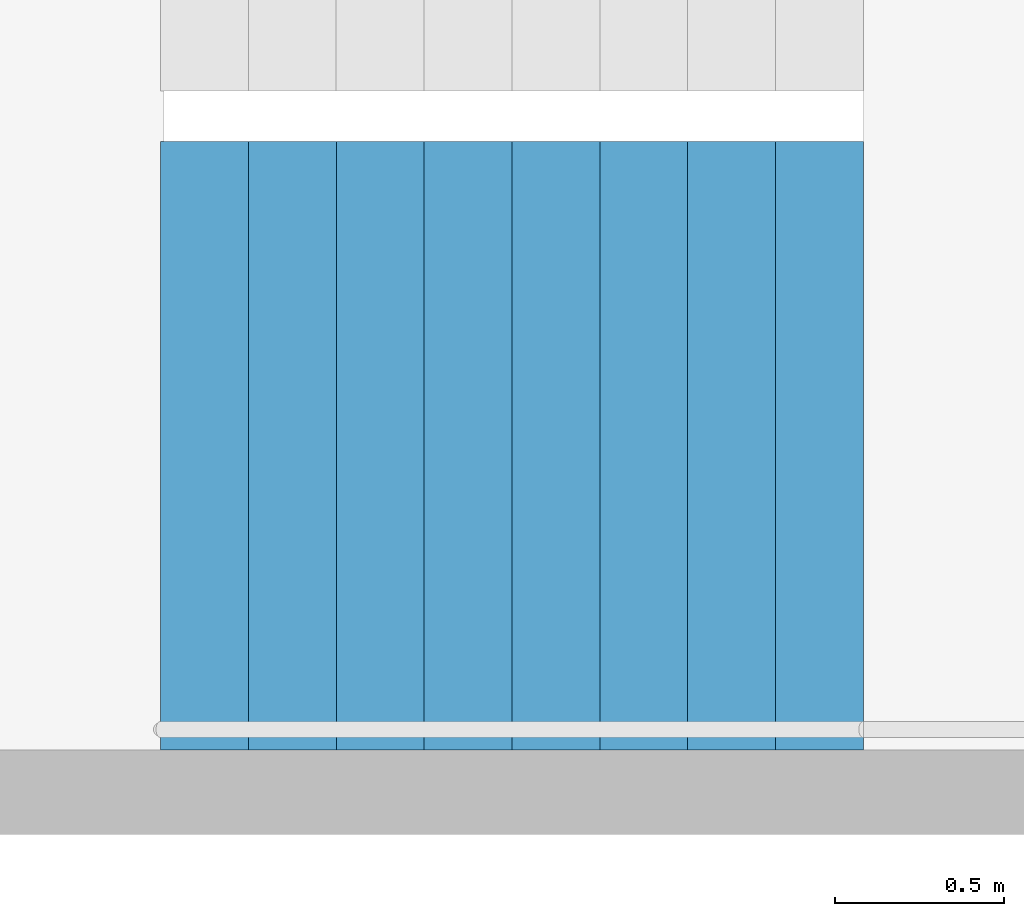
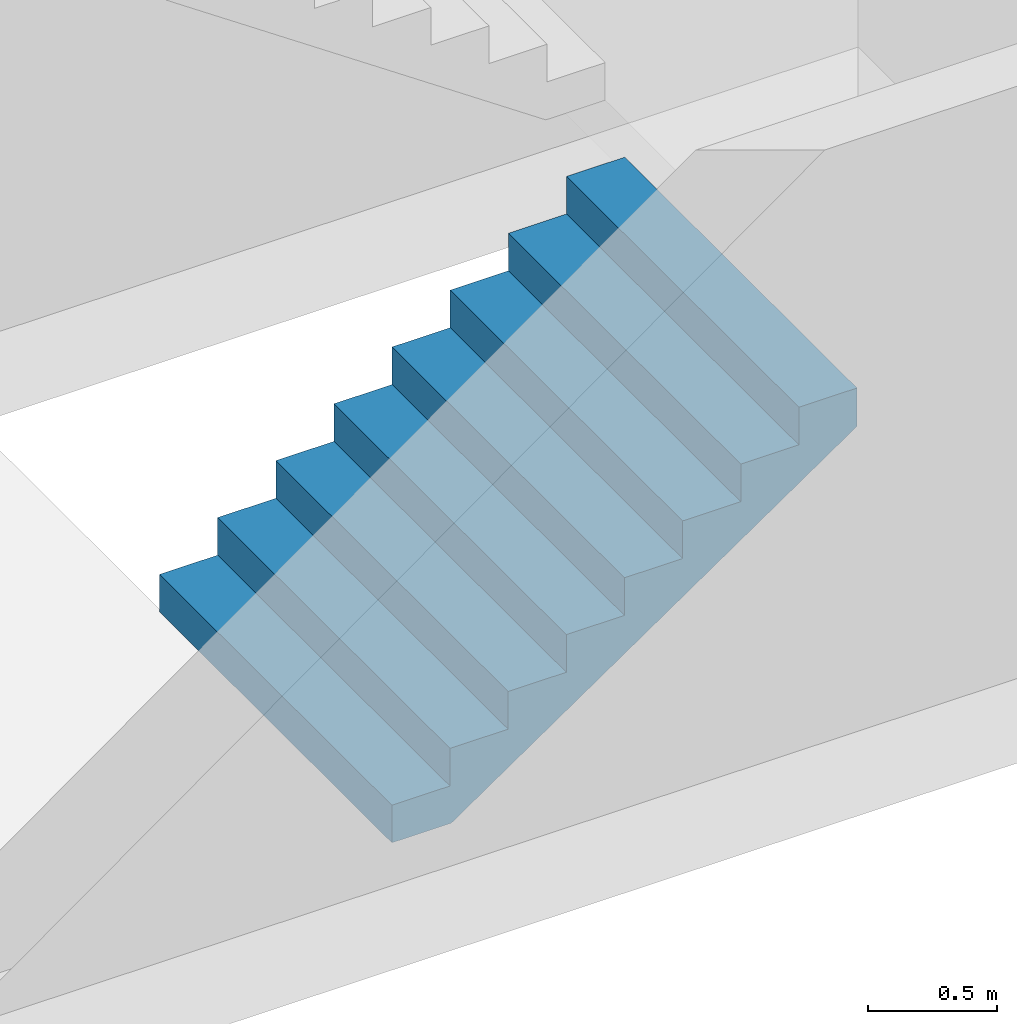
# One storey, part 22 of 28: 1 stair flight, 1 element without a shape of its own.
"""IFC4 building model written with IfcOpenShell, lengths in metres."""

import ifcopenshell
import ifcopenshell.guid

model = None  # the IFC model being written
_history = None  # IfcOwnerHistory: only IFC2X3 demands one
_inside = {}  # id of a spatial element -> (the spatial element, [elements in it])
_under = {}  # id of a project, library or spatial element -> (it, [spatial elements below it])
_declared = {}  # id of a project -> (the project, [libraries it declares])
_typed = {}  # id of a type object -> (the type object, [elements of that type])
_made_of = {}  # id of a material, layer set ... -> (it, [elements and type objects made of it])


def new_model(schema):
    """Start an empty IFC model of exactly this schema.

    Asked for "IFC4X3", IfcOpenShell would pick the latest addendum, in which some entities
    have other attributes; the version numbers below select the first issue.
    IFC2X3 requires an IfcOwnerHistory on every rooted entity: one is made here for all.
    """
    global model, _history
    if schema == "IFC4X3":
        model = ifcopenshell.file(schema_version=(4, 3, 0, 0))
    else:
        model = ifcopenshell.file(schema=schema)
    _inside.clear()
    _under.clear()
    _declared.clear()
    _typed.clear()
    _made_of.clear()
    _history = None
    if model.schema == "IFC2X3":
        org = make("IfcOrganization", Name="unknown")
        user = make(
            "IfcPersonAndOrganization",
            ThePerson=make("IfcPerson", FamilyName="unknown"),
            TheOrganization=org,
        )
        app = make(
            "IfcApplication",
            ApplicationDeveloper=org,
            Version="unknown",
            ApplicationFullName="unknown",
            ApplicationIdentifier="unknown",
        )
        _history = make(
            "IfcOwnerHistory",
            OwningUser=user,
            OwningApplication=app,
            ChangeAction="ADDED",
            CreationDate=0,
        )
    return model


def make(cls, **values):
    """One entity of the class cls with the attributes given. An attribute that is None is left unset."""
    return model.create_entity(
        cls, **{name: value for name, value in values.items() if value is not None}
    )


def rooted(cls, **values):
    """An entity with a GlobalId (a new one), such as an element, a storey or a relation."""
    return make(cls, GlobalId=ifcopenshell.guid.new(), OwnerHistory=_history, **values)


def si_unit(unit_type, name, prefix=None):
    """IfcSIUnit, for example si_unit("LENGTHUNIT", "METRE", prefix="MILLI")."""
    return make("IfcSIUnit", UnitType=unit_type, Prefix=prefix, Name=name)


def assignment(units):
    """IfcUnitAssignment: the units of a project."""
    return None if units is None else make("IfcUnitAssignment", Units=units)


def point(xyz):
    """IfcCartesianPoint."""
    return None if xyz is None else make("IfcCartesianPoint", Coordinates=xyz)


def direction(xyz):
    """IfcDirection."""
    return None if xyz is None else make("IfcDirection", DirectionRatios=xyz)


def frame(location, z_axis=None, x_axis=None):
    """IfcAxis2Placement3D, a coordinate frame: its origin and axes. An axis left out is left unset."""
    return make(
        "IfcAxis2Placement3D",
        Location=point(location),
        Axis=direction(z_axis),
        RefDirection=direction(x_axis),
    )


def origin():
    """The frame at (0, 0, 0) with its axes left unset."""
    return frame((0.0, 0.0, 0.0))


def place(relative_to, where):
    """IfcLocalPlacement: puts the frame where relative to a parent placement (None: the world)."""
    return make(
        "IfcLocalPlacement", PlacementRelTo=relative_to, RelativePlacement=where
    )


def context(
    kind, dimensions, precision=None, world=None, true_north=None, identifier=None
):
    """IfcGeometricRepresentationContext, for example the 3D "Model" context."""
    return make(
        "IfcGeometricRepresentationContext",
        ContextIdentifier=identifier,
        ContextType=kind,
        CoordinateSpaceDimension=dimensions,
        Precision=precision,
        WorldCoordinateSystem=world,
        TrueNorth=true_north,
    )


def subcontext(parent, identifier, kind, view, scale=None):
    """IfcGeometricRepresentationSubContext, for example "Body" below "Model"."""
    return make(
        "IfcGeometricRepresentationSubContext",
        ContextIdentifier=identifier,
        ContextType=kind,
        ParentContext=parent,
        TargetScale=scale,
        TargetView=view,
    )


def project(units=None, contexts=None):
    """IfcProject with its units and contexts."""
    return rooted(
        "IfcProject",
        Name="project",
        RepresentationContexts=contexts,
        UnitsInContext=assignment(units),
    )


def spatial(cls, under=None, at=None, **own):
    """A site, building, storey or space (cls), placed at a placement, below another one or the project."""
    s = rooted(cls, ObjectPlacement=at, **own)
    if under is not None:
        _under.setdefault(under.id(), (under, []))[1].append(s)
    return s


def point_list(points):
    """IfcCartesianPointList2D or 3D."""
    cls = (
        "IfcCartesianPointList2D" if len(points[0]) == 2 else "IfcCartesianPointList3D"
    )
    return make(cls, CoordList=points)


def triangles(points, corners, closed=None, point_numbers=None):
    """IfcTriangulatedFaceSet: each triangle names its three corners, points numbered from 1."""
    return make(
        "IfcTriangulatedFaceSet",
        Coordinates=point_list(points),
        Closed=closed,
        CoordIndex=corners,
        PnIndex=point_numbers,
    )


def shape(context_of_items, identifier, shape_type, items):
    """IfcShapeRepresentation: the items that make up one representation, for example the "Body"."""
    return make(
        "IfcShapeRepresentation",
        ContextOfItems=context_of_items,
        RepresentationIdentifier=identifier,
        RepresentationType=shape_type,
        Items=items,
    )


def material(Name=None, Category=None):
    """IfcMaterial."""
    return make("IfcMaterial", Name=Name, Category=Category)


def made_of(thing, what):
    """Note that an element or type object is made of a material, layer set ...; save() writes the relation."""
    if what is not None:
        _made_of.setdefault(what.id(), (what, []))[1].append(thing)
    return thing


def type_object(cls, material=None, **own):
    """A type object (cls), such as IfcWallType, which elements share."""
    return made_of(rooted(cls, **own), material)


def element(
    cls,
    number,
    at=None,
    inside=None,
    cuts=None,
    type_object=None,
    material=None,
    context=None,
    identifier="Body",
    shape_type=None,
    held_by="IfcProductDefinitionShape",
    body=None,
    shapes=None,
    **own,
):
    """One element of the class cls, such as IfcWall. Its Tag is "e" and its number.

    at: its placement. inside: the storey or other place that contains it. cuts: it is an
    opening in that element (IfcRelVoidsElement). A single representation is given by context,
    identifier, shape_type and body (its items); several are given by shapes. held_by: the class
    of the entity that holds the representations. save() writes the other relations.
    """
    e = rooted(cls, Tag="e%d" % number, ObjectPlacement=at, **own)
    if body is not None:
        shapes = [shape(context, identifier, shape_type, body)]
    if shapes is not None:
        e.Representation = make(held_by, Representations=shapes)
    if inside is not None:
        _inside.setdefault(inside.id(), (inside, []))[1].append(e)
    if cuts is not None:
        rooted(
            "IfcRelVoidsElement", RelatingBuildingElement=cuts, RelatedOpeningElement=e
        )
    if type_object is not None:
        _typed.setdefault(type_object.id(), (type_object, []))[1].append(e)
    return made_of(e, material)


def aggregate(whole, parts):
    """IfcRelAggregates: a whole, such as a stair, and the parts it consists of."""
    return rooted("IfcRelAggregates", RelatingObject=whole, RelatedObjects=parts)


def save(model, path):
    """Write the relations noted so far, then the file.

    IfcRelAggregates (storeys below a building ...), IfcRelContainedInSpatialStructure (elements
    in a storey), IfcRelDefinesByType, IfcRelAssociatesMaterial and IfcRelDeclares: one each for
    every whole, place, type object, material and project.
    """
    for whole, parts in _under.values():
        aggregate(whole, parts)
    for where, things in _inside.values():
        rooted(
            "IfcRelContainedInSpatialStructure",
            RelatedElements=things,
            RelatingStructure=where,
        )
    for kind, things in _typed.values():
        rooted("IfcRelDefinesByType", RelatedObjects=things, RelatingType=kind)
    for what, things in _made_of.values():
        rooted("IfcRelAssociatesMaterial", RelatedObjects=things, RelatingMaterial=what)
    for by, libraries in _declared.values():
        rooted("IfcRelDeclares", RelatingContext=by, RelatedDefinitions=libraries)
    model.write(path)


model = new_model("IFC4")

# Units and contexts
model_context = context("Model", 3, precision=1e-05, world=origin(), true_north=direction((0.0, 1.0)))
body_context = subcontext(model_context, "Body", "Model", "MODEL_VIEW")
ifc_project = project(units=[si_unit("LENGTHUNIT", "METRE"), si_unit("AREAUNIT", "SQUARE_METRE"), si_unit("VOLUMEUNIT", "CUBIC_METRE"), si_unit("PLANEANGLEUNIT", "RADIAN"), si_unit("MASSUNIT", "GRAM", prefix="KILO")], contexts=[model_context])

# Site, building, storey
site_placement = place(None, origin())
site = spatial("IfcSite", under=ifc_project, at=site_placement, CompositionType="ELEMENT")
building_placement = place(site_placement, origin())
building = spatial("IfcBuilding", under=site, at=building_placement, Name="Hakoniwa Tower and Hamabe Station Hall", CompositionType="ELEMENT")
storey_placement = place(building_placement, frame((0.0, 0.0, 42.199951171875)))
storey = spatial("IfcBuildingStorey", under=building, at=storey_placement, Name="L11", CompositionType="ELEMENT", Elevation=42.199951171875)

# Stair, stair flight
ifc_material_1 = material(Name="Concrete C40", Category="concrete")
stair_type = type_object("IfcStairType", Name="ESCAPE STAIR 1800", PredefinedType="HALF_TURN_STAIR", material=ifc_material_1)
stair_placement = place(storey_placement, origin())
stair = element("IfcStair", 1, at=stair_placement, inside=storey, type_object=stair_type, Name="Escape stair ST-1 L11", PredefinedType="HALF_TURN_STAIR")
ifc_material_2 = material(Name="Concrete C40", Category="concrete")
stair_flight_type = type_object("IfcStairFlightType", Name="STAIR FLIGHT 1800", PredefinedType="STRAIGHT", material=ifc_material_2)
stair_flight_placement = place(storey_placement, frame((-24.39990234375, 4.64990234375, 0.0), z_axis=(0.0, 0.0, 1.0), x_axis=(1.0, 0.0, 0.0)))
stair_flight = element("IfcStairFlight", 2, at=stair_flight_placement, type_object=stair_flight_type, Name="ST-1 flight 1", NumberOfRisers=9, NumberOfTreads=8, PredefinedType="STRAIGHT", RiserHeight=0.177777778, TreadLength=0.26, context=body_context, shape_type="Tessellation", body=[
    triangles([(0.0, 0.89990234375, 0.0), (0.260009765625, 0.89990234375, 0.0), (0.265625, 0.89990234375, 0.0), (0.52001953125, 0.89990234375, 0.174072265625), (0.780029296875, 0.89990234375, 0.351806640625), (1.0400390625, 0.89990234375, 0.529541015625), (1.300048828125, 0.89990234375, 0.707275390625), (1.56005859375, 0.89990234375, 0.885009765625), (1.820068359375, 0.89990234375, 1.062744140625), (2.080078125, 0.89990234375, 1.24072265625), (2.080078125, 0.89990234375, 1.422119140625), (1.820068359375, 0.89990234375, 1.422119140625), (1.820068359375, 0.89990234375, 1.244384765625), (1.56005859375, 0.89990234375, 1.244384765625), (1.56005859375, 0.89990234375, 1.066650390625), (1.300048828125, 0.89990234375, 1.066650390625), (1.300048828125, 0.89990234375, 0.888916015625), (1.0400390625, 0.89990234375, 0.888916015625), (1.0400390625, 0.89990234375, 0.711181640625), (0.780029296875, 0.89990234375, 0.711181640625), (0.780029296875, 0.89990234375, 0.533447265625), (0.52001953125, 0.89990234375, 0.533447265625), (0.52001953125, 0.89990234375, 0.35546875), (0.265625, 0.89990234375, 0.35546875), (0.260009765625, 0.89990234375, 0.35546875), (0.260009765625, 0.89990234375, 0.177734375), (0.0, 0.89990234375, 0.177734375), (0.0, 0.06005859375, 0.0), (0.260009765625, 0.06005859375, 0.0), (0.265625, 0.06005859375, 0.0), (0.52001953125, 0.06005859375, 0.174072265625), (0.780029296875, 0.06005859375, 0.351806640625), (1.0400390625, 0.06005859375, 0.529541015625), (1.300048828125, 0.06005859375, 0.707275390625), (1.56005859375, 0.06005859375, 0.885009765625), (1.820068359375, 0.06005859375, 1.062744140625), (2.080078125, 0.06005859375, 1.24072265625), (2.080078125, 0.06005859375, 1.422119140625), (1.820068359375, 0.06005859375, 1.422119140625), (1.820068359375, 0.06005859375, 1.244384765625), (1.56005859375, 0.06005859375, 1.244384765625), (1.56005859375, 0.06005859375, 1.066650390625), (1.300048828125, 0.06005859375, 1.066650390625), (1.300048828125, 0.06005859375, 0.888916015625), (1.0400390625, 0.06005859375, 0.888916015625), (1.0400390625, 0.06005859375, 0.711181640625), (0.780029296875, 0.06005859375, 0.711181640625), (0.780029296875, 0.06005859375, 0.533447265625), (0.52001953125, 0.06005859375, 0.533447265625), (0.52001953125, 0.06005859375, 0.35546875), (0.265625, 0.06005859375, 0.35546875), (0.260009765625, 0.06005859375, 0.35546875), (0.260009765625, 0.06005859375, 0.177734375), (0.0, 0.06005859375, 0.177734375), (0.0, 0.04296875, 0.0), (0.260009765625, 0.04296875, 0.0), (0.265625, 0.04296875, 0.0), (0.52001953125, 0.04296875, 0.174072265625), (0.780029296875, 0.04296875, 0.351806640625), (1.0400390625, 0.04296875, 0.529541015625), (1.300048828125, 0.04296875, 0.707275390625), (1.56005859375, 0.04296875, 0.885009765625), (1.820068359375, 0.04296875, 1.062744140625), (2.080078125, 0.04296875, 1.24072265625), (2.080078125, 0.04296875, 1.422119140625), (1.820068359375, 0.04296875, 1.422119140625), (1.820068359375, 0.04296875, 1.244384765625), (1.56005859375, 0.04296875, 1.244384765625), (1.56005859375, 0.04296875, 1.066650390625), (1.300048828125, 0.04296875, 1.066650390625), (1.300048828125, 0.04296875, 0.888916015625), (1.0400390625, 0.04296875, 0.888916015625), (1.0400390625, 0.04296875, 0.711181640625), (0.780029296875, 0.04296875, 0.711181640625), (0.780029296875, 0.04296875, 0.533447265625), (0.52001953125, 0.04296875, 0.533447265625), (0.52001953125, 0.04296875, 0.35546875), (0.265625, 0.04296875, 0.35546875), (0.260009765625, 0.04296875, 0.35546875), (0.260009765625, 0.04296875, 0.177734375), (0.0, 0.04296875, 0.177734375), (0.0, 0.025634765625, 0.0), (0.260009765625, 0.025634765625, 0.0), (0.265625, 0.025634765625, 0.0), (0.52001953125, 0.025634765625, 0.174072265625), (0.780029296875, 0.025634765625, 0.351806640625), (1.0400390625, 0.025634765625, 0.529541015625), (1.300048828125, 0.025634765625, 0.707275390625), (1.56005859375, 0.025634765625, 0.885009765625), (1.820068359375, 0.025634765625, 1.062744140625), (2.080078125, 0.025634765625, 1.24072265625), (2.080078125, 0.025634765625, 1.422119140625), (1.820068359375, 0.025634765625, 1.422119140625), (1.820068359375, 0.025634765625, 1.244384765625), (1.56005859375, 0.025634765625, 1.244384765625), (1.56005859375, 0.025634765625, 1.066650390625), (1.300048828125, 0.025634765625, 1.066650390625), (1.300048828125, 0.025634765625, 0.888916015625), (1.0400390625, 0.025634765625, 0.888916015625), (1.0400390625, 0.025634765625, 0.711181640625), (0.780029296875, 0.025634765625, 0.711181640625), (0.780029296875, 0.025634765625, 0.533447265625), (0.52001953125, 0.025634765625, 0.533447265625), (0.52001953125, 0.025634765625, 0.35546875), (0.265625, 0.025634765625, 0.35546875), (0.260009765625, 0.025634765625, 0.35546875), (0.260009765625, 0.025634765625, 0.177734375), (0.0, 0.025634765625, 0.177734375), (0.0, 0.008544921875, 0.0), (0.260009765625, 0.008544921875, 0.0), (0.265625, 0.008544921875, 0.0), (0.52001953125, 0.008544921875, 0.174072265625), (0.780029296875, 0.008544921875, 0.351806640625), (1.0400390625, 0.008544921875, 0.529541015625), (1.300048828125, 0.008544921875, 0.707275390625), (1.56005859375, 0.008544921875, 0.885009765625), (1.820068359375, 0.008544921875, 1.062744140625), (2.080078125, 0.008544921875, 1.24072265625), (2.080078125, 0.008544921875, 1.422119140625), (1.820068359375, 0.008544921875, 1.422119140625), (1.820068359375, 0.008544921875, 1.244384765625), (1.56005859375, 0.008544921875, 1.244384765625), (1.56005859375, 0.008544921875, 1.066650390625), (1.300048828125, 0.008544921875, 1.066650390625), (1.300048828125, 0.008544921875, 0.888916015625), (1.0400390625, 0.008544921875, 0.888916015625), (1.0400390625, 0.008544921875, 0.711181640625), (0.780029296875, 0.008544921875, 0.711181640625), (0.780029296875, 0.008544921875, 0.533447265625), (0.52001953125, 0.008544921875, 0.533447265625), (0.52001953125, 0.008544921875, 0.35546875), (0.265625, 0.008544921875, 0.35546875), (0.260009765625, 0.008544921875, 0.35546875), (0.260009765625, 0.008544921875, 0.177734375), (0.0, 0.008544921875, 0.177734375), (0.0, -0.008544921875, 0.0), (0.260009765625, -0.008544921875, 0.0), (0.265625, -0.008544921875, 0.0), (0.52001953125, -0.008544921875, 0.174072265625), (0.780029296875, -0.008544921875, 0.351806640625), (1.0400390625, -0.008544921875, 0.529541015625), (1.300048828125, -0.008544921875, 0.707275390625), (1.56005859375, -0.008544921875, 0.885009765625), (1.820068359375, -0.008544921875, 1.062744140625), (2.080078125, -0.008544921875, 1.24072265625), (2.080078125, -0.008544921875, 1.422119140625), (1.820068359375, -0.008544921875, 1.422119140625), (1.820068359375, -0.008544921875, 1.244384765625), (1.56005859375, -0.008544921875, 1.244384765625), (1.56005859375, -0.008544921875, 1.066650390625), (1.300048828125, -0.008544921875, 1.066650390625), (1.300048828125, -0.008544921875, 0.888916015625), (1.0400390625, -0.008544921875, 0.888916015625), (1.0400390625, -0.008544921875, 0.711181640625), (0.780029296875, -0.008544921875, 0.711181640625), (0.780029296875, -0.008544921875, 0.533447265625), (0.52001953125, -0.008544921875, 0.533447265625), (0.52001953125, -0.008544921875, 0.35546875), (0.265625, -0.008544921875, 0.35546875), (0.260009765625, -0.008544921875, 0.35546875), (0.260009765625, -0.008544921875, 0.177734375), (0.0, -0.008544921875, 0.177734375), (0.0, -0.025634765625, 0.0), (0.260009765625, -0.025634765625, 0.0), (0.265625, -0.025634765625, 0.0), (0.52001953125, -0.025634765625, 0.174072265625), (0.780029296875, -0.025634765625, 0.351806640625), (1.0400390625, -0.025634765625, 0.529541015625), (1.300048828125, -0.025634765625, 0.707275390625), (1.56005859375, -0.025634765625, 0.885009765625), (1.820068359375, -0.025634765625, 1.062744140625), (2.080078125, -0.025634765625, 1.24072265625), (2.080078125, -0.025634765625, 1.422119140625), (1.820068359375, -0.025634765625, 1.422119140625), (1.820068359375, -0.025634765625, 1.244384765625), (1.56005859375, -0.025634765625, 1.244384765625), (1.56005859375, -0.025634765625, 1.066650390625), (1.300048828125, -0.025634765625, 1.066650390625), (1.300048828125, -0.025634765625, 0.888916015625), (1.0400390625, -0.025634765625, 0.888916015625), (1.0400390625, -0.025634765625, 0.711181640625), (0.780029296875, -0.025634765625, 0.711181640625), (0.780029296875, -0.025634765625, 0.533447265625), (0.52001953125, -0.025634765625, 0.533447265625), (0.52001953125, -0.025634765625, 0.35546875), (0.265625, -0.025634765625, 0.35546875), (0.260009765625, -0.025634765625, 0.35546875), (0.260009765625, -0.025634765625, 0.177734375), (0.0, -0.025634765625, 0.177734375), (0.0, -0.04296875, 0.0), (0.260009765625, -0.04296875, 0.0), (0.265625, -0.04296875, 0.0), (0.52001953125, -0.04296875, 0.174072265625), (0.780029296875, -0.04296875, 0.351806640625), (1.0400390625, -0.04296875, 0.529541015625), (1.300048828125, -0.04296875, 0.707275390625), (1.56005859375, -0.04296875, 0.885009765625), (1.820068359375, -0.04296875, 1.062744140625), (2.080078125, -0.04296875, 1.24072265625), (2.080078125, -0.04296875, 1.422119140625), (1.820068359375, -0.04296875, 1.422119140625), (1.820068359375, -0.04296875, 1.244384765625), (1.56005859375, -0.04296875, 1.244384765625), (1.56005859375, -0.04296875, 1.066650390625), (1.300048828125, -0.04296875, 1.066650390625), (1.300048828125, -0.04296875, 0.888916015625), (1.0400390625, -0.04296875, 0.888916015625), (1.0400390625, -0.04296875, 0.711181640625), (0.780029296875, -0.04296875, 0.711181640625), (0.780029296875, -0.04296875, 0.533447265625), (0.52001953125, -0.04296875, 0.533447265625), (0.52001953125, -0.04296875, 0.35546875), (0.265625, -0.04296875, 0.35546875), (0.260009765625, -0.04296875, 0.35546875), (0.260009765625, -0.04296875, 0.177734375), (0.0, -0.04296875, 0.177734375), (0.0, -0.06005859375, 0.0), (0.260009765625, -0.06005859375, 0.0), (0.265625, -0.06005859375, 0.0), (0.52001953125, -0.06005859375, 0.174072265625), (0.780029296875, -0.06005859375, 0.351806640625), (1.0400390625, -0.06005859375, 0.529541015625), (1.300048828125, -0.06005859375, 0.707275390625), (1.56005859375, -0.06005859375, 0.885009765625), (1.820068359375, -0.06005859375, 1.062744140625), (2.080078125, -0.06005859375, 1.24072265625), (2.080078125, -0.06005859375, 1.422119140625), (1.820068359375, -0.06005859375, 1.422119140625), (1.820068359375, -0.06005859375, 1.244384765625), (1.56005859375, -0.06005859375, 1.244384765625), (1.56005859375, -0.06005859375, 1.066650390625), (1.300048828125, -0.06005859375, 1.066650390625), (1.300048828125, -0.06005859375, 0.888916015625), (1.0400390625, -0.06005859375, 0.888916015625), (1.0400390625, -0.06005859375, 0.711181640625), (0.780029296875, -0.06005859375, 0.711181640625), (0.780029296875, -0.06005859375, 0.533447265625), (0.52001953125, -0.06005859375, 0.533447265625), (0.52001953125, -0.06005859375, 0.35546875), (0.265625, -0.06005859375, 0.35546875), (0.260009765625, -0.06005859375, 0.35546875), (0.260009765625, -0.06005859375, 0.177734375), (0.0, -0.06005859375, 0.177734375), (0.0, -0.89990234375, 0.0), (0.260009765625, -0.89990234375, 0.0), (0.265625, -0.89990234375, 0.0), (0.52001953125, -0.89990234375, 0.174072265625), (0.780029296875, -0.89990234375, 0.351806640625), (1.0400390625, -0.89990234375, 0.529541015625), (1.300048828125, -0.89990234375, 0.707275390625), (1.56005859375, -0.89990234375, 0.885009765625), (1.820068359375, -0.89990234375, 1.062744140625), (2.080078125, -0.89990234375, 1.24072265625), (2.080078125, -0.89990234375, 1.422119140625), (1.820068359375, -0.89990234375, 1.422119140625), (1.820068359375, -0.89990234375, 1.244384765625), (1.56005859375, -0.89990234375, 1.244384765625), (1.56005859375, -0.89990234375, 1.066650390625), (1.300048828125, -0.89990234375, 1.066650390625), (1.300048828125, -0.89990234375, 0.888916015625), (1.0400390625, -0.89990234375, 0.888916015625), (1.0400390625, -0.89990234375, 0.711181640625), (0.780029296875, -0.89990234375, 0.711181640625), (0.780029296875, -0.89990234375, 0.533447265625), (0.52001953125, -0.89990234375, 0.533447265625), (0.52001953125, -0.89990234375, 0.35546875), (0.265625, -0.89990234375, 0.35546875), (0.260009765625, -0.89990234375, 0.35546875), (0.260009765625, -0.89990234375, 0.177734375), (0.0, -0.89990234375, 0.177734375)], [[2, 27, 26], [245, 269, 270], [2, 1, 27], [245, 270, 244], [3, 25, 24], [246, 267, 268], [3, 26, 25], [246, 268, 269], [3, 2, 26], [246, 269, 245], [4, 24, 23], [247, 266, 267], [4, 3, 24], [247, 267, 246], [5, 22, 21], [248, 264, 265], [5, 23, 22], [248, 265, 266], [5, 4, 23], [248, 266, 247], [6, 20, 19], [249, 262, 263], [6, 21, 20], [249, 263, 264], [6, 5, 21], [249, 264, 248], [7, 18, 17], [250, 260, 261], [7, 19, 18], [250, 261, 262], [7, 6, 19], [250, 262, 249], [8, 16, 15], [251, 258, 259], [8, 17, 16], [251, 259, 260], [8, 7, 17], [251, 260, 250], [9, 14, 13], [252, 256, 257], [9, 15, 14], [252, 257, 258], [9, 8, 15], [252, 258, 251], [10, 12, 11], [253, 254, 255], [10, 13, 12], [253, 255, 256], [10, 9, 13], [253, 256, 252], [1, 2, 29], [1, 29, 28], [28, 29, 56], [28, 56, 55], [55, 56, 83], [55, 83, 82], [82, 83, 110], [82, 110, 109], [109, 110, 137], [109, 137, 136], [136, 137, 164], [136, 164, 163], [163, 164, 191], [163, 191, 190], [190, 191, 218], [190, 218, 217], [217, 218, 245], [217, 245, 244], [2, 3, 30], [2, 30, 29], [29, 30, 57], [29, 57, 56], [56, 57, 84], [56, 84, 83], [83, 84, 111], [83, 111, 110], [110, 111, 138], [110, 138, 137], [137, 138, 165], [137, 165, 164], [164, 165, 192], [164, 192, 191], [191, 192, 219], [191, 219, 218], [218, 219, 246], [218, 246, 245], [3, 4, 31], [3, 31, 30], [30, 31, 58], [30, 58, 57], [57, 58, 85], [57, 85, 84], [84, 85, 112], [84, 112, 111], [111, 112, 139], [111, 139, 138], [138, 139, 166], [138, 166, 165], [165, 166, 193], [165, 193, 192], [192, 193, 220], [192, 220, 219], [219, 220, 247], [219, 247, 246], [4, 5, 32], [4, 32, 31], [31, 32, 59], [31, 59, 58], [58, 59, 86], [58, 86, 85], [85, 86, 113], [85, 113, 112], [112, 113, 140], [112, 140, 139], [139, 140, 167], [139, 167, 166], [166, 167, 194], [166, 194, 193], [193, 194, 221], [193, 221, 220], [220, 221, 248], [220, 248, 247], [5, 6, 33], [5, 33, 32], [32, 33, 60], [32, 60, 59], [59, 60, 87], [59, 87, 86], [86, 87, 114], [86, 114, 113], [113, 114, 141], [113, 141, 140], [140, 141, 168], [140, 168, 167], [167, 168, 195], [167, 195, 194], [194, 195, 222], [194, 222, 221], [221, 222, 249], [221, 249, 248], [6, 7, 34], [6, 34, 33], [33, 34, 61], [33, 61, 60], [60, 61, 88], [60, 88, 87], [87, 88, 115], [87, 115, 114], [114, 115, 142], [114, 142, 141], [141, 142, 169], [141, 169, 168], [168, 169, 196], [168, 196, 195], [195, 196, 223], [195, 223, 222], [222, 223, 250], [222, 250, 249], [7, 8, 35], [7, 35, 34], [34, 35, 62], [34, 62, 61], [61, 62, 89], [61, 89, 88], [88, 89, 116], [88, 116, 115], [115, 116, 143], [115, 143, 142], [142, 143, 170], [142, 170, 169], [169, 170, 197], [169, 197, 196], [196, 197, 224], [196, 224, 223], [223, 224, 251], [223, 251, 250], [8, 9, 36], [8, 36, 35], [35, 36, 63], [35, 63, 62], [62, 63, 90], [62, 90, 89], [89, 90, 117], [89, 117, 116], [116, 117, 144], [116, 144, 143], [143, 144, 171], [143, 171, 170], [170, 171, 198], [170, 198, 197], [197, 198, 225], [197, 225, 224], [224, 225, 252], [224, 252, 251], [9, 10, 37], [9, 37, 36], [36, 37, 64], [36, 64, 63], [63, 64, 91], [63, 91, 90], [90, 91, 118], [90, 118, 117], [117, 118, 145], [117, 145, 144], [144, 145, 172], [144, 172, 171], [171, 172, 199], [171, 199, 198], [198, 199, 226], [198, 226, 225], [225, 226, 253], [225, 253, 252], [10, 11, 38], [10, 38, 37], [37, 38, 65], [37, 65, 64], [64, 65, 92], [64, 92, 91], [91, 92, 119], [91, 119, 118], [118, 119, 146], [118, 146, 145], [145, 146, 173], [145, 173, 172], [172, 173, 200], [172, 200, 199], [199, 200, 227], [199, 227, 226], [226, 227, 254], [226, 254, 253], [11, 12, 39], [11, 39, 38], [38, 39, 66], [38, 66, 65], [65, 66, 93], [65, 93, 92], [92, 93, 120], [92, 120, 119], [119, 120, 147], [119, 147, 146], [146, 147, 174], [146, 174, 173], [173, 174, 201], [173, 201, 200], [200, 201, 228], [200, 228, 227], [227, 228, 255], [227, 255, 254], [12, 13, 40], [12, 40, 39], [39, 40, 67], [39, 67, 66], [66, 67, 94], [66, 94, 93], [93, 94, 121], [93, 121, 120], [120, 121, 148], [120, 148, 147], [147, 148, 175], [147, 175, 174], [174, 175, 202], [174, 202, 201], [201, 202, 229], [201, 229, 228], [228, 229, 256], [228, 256, 255], [13, 14, 41], [13, 41, 40], [40, 41, 68], [40, 68, 67], [67, 68, 95], [67, 95, 94], [94, 95, 122], [94, 122, 121], [121, 122, 149], [121, 149, 148], [148, 149, 176], [148, 176, 175], [175, 176, 203], [175, 203, 202], [202, 203, 230], [202, 230, 229], [229, 230, 257], [229, 257, 256], [14, 15, 42], [14, 42, 41], [41, 42, 69], [41, 69, 68], [68, 69, 96], [68, 96, 95], [95, 96, 123], [95, 123, 122], [122, 123, 150], [122, 150, 149], [149, 150, 177], [149, 177, 176], [176, 177, 204], [176, 204, 203], [203, 204, 231], [203, 231, 230], [230, 231, 258], [230, 258, 257], [15, 16, 43], [15, 43, 42], [42, 43, 70], [42, 70, 69], [69, 70, 97], [69, 97, 96], [96, 97, 124], [96, 124, 123], [123, 124, 151], [123, 151, 150], [150, 151, 178], [150, 178, 177], [177, 178, 205], [177, 205, 204], [204, 205, 232], [204, 232, 231], [231, 232, 259], [231, 259, 258], [16, 17, 44], [16, 44, 43], [43, 44, 71], [43, 71, 70], [70, 71, 98], [70, 98, 97], [97, 98, 125], [97, 125, 124], [124, 125, 152], [124, 152, 151], [151, 152, 179], [151, 179, 178], [178, 179, 206], [178, 206, 205], [205, 206, 233], [205, 233, 232], [232, 233, 260], [232, 260, 259], [17, 18, 45], [17, 45, 44], [44, 45, 72], [44, 72, 71], [71, 72, 99], [71, 99, 98], [98, 99, 126], [98, 126, 125], [125, 126, 153], [125, 153, 152], [152, 153, 180], [152, 180, 179], [179, 180, 207], [179, 207, 206], [206, 207, 234], [206, 234, 233], [233, 234, 261], [233, 261, 260], [18, 19, 46], [18, 46, 45], [45, 46, 73], [45, 73, 72], [72, 73, 100], [72, 100, 99], [99, 100, 127], [99, 127, 126], [126, 127, 154], [126, 154, 153], [153, 154, 181], [153, 181, 180], [180, 181, 208], [180, 208, 207], [207, 208, 235], [207, 235, 234], [234, 235, 262], [234, 262, 261], [19, 20, 47], [19, 47, 46], [46, 47, 74], [46, 74, 73], [73, 74, 101], [73, 101, 100], [100, 101, 128], [100, 128, 127], [127, 128, 155], [127, 155, 154], [154, 155, 182], [154, 182, 181], [181, 182, 209], [181, 209, 208], [208, 209, 236], [208, 236, 235], [235, 236, 263], [235, 263, 262], [20, 21, 48], [20, 48, 47], [47, 48, 75], [47, 75, 74], [74, 75, 102], [74, 102, 101], [101, 102, 129], [101, 129, 128], [128, 129, 156], [128, 156, 155], [155, 156, 183], [155, 183, 182], [182, 183, 210], [182, 210, 209], [209, 210, 237], [209, 237, 236], [236, 237, 264], [236, 264, 263], [21, 22, 49], [21, 49, 48], [48, 49, 76], [48, 76, 75], [75, 76, 103], [75, 103, 102], [102, 103, 130], [102, 130, 129], [129, 130, 157], [129, 157, 156], [156, 157, 184], [156, 184, 183], [183, 184, 211], [183, 211, 210], [210, 211, 238], [210, 238, 237], [237, 238, 265], [237, 265, 264], [22, 23, 50], [22, 50, 49], [49, 50, 77], [49, 77, 76], [76, 77, 104], [76, 104, 103], [103, 104, 131], [103, 131, 130], [130, 131, 158], [130, 158, 157], [157, 158, 185], [157, 185, 184], [184, 185, 212], [184, 212, 211], [211, 212, 239], [211, 239, 238], [238, 239, 266], [238, 266, 265], [23, 24, 51], [23, 51, 50], [50, 51, 78], [50, 78, 77], [77, 78, 105], [77, 105, 104], [104, 105, 132], [104, 132, 131], [131, 132, 159], [131, 159, 158], [158, 159, 186], [158, 186, 185], [185, 186, 213], [185, 213, 212], [212, 213, 240], [212, 240, 239], [239, 240, 267], [239, 267, 266], [24, 25, 52], [24, 52, 51], [51, 52, 79], [51, 79, 78], [78, 79, 106], [78, 106, 105], [105, 106, 133], [105, 133, 132], [132, 133, 160], [132, 160, 159], [159, 160, 187], [159, 187, 186], [186, 187, 214], [186, 214, 213], [213, 214, 241], [213, 241, 240], [240, 241, 268], [240, 268, 267], [25, 26, 53], [25, 53, 52], [52, 53, 80], [52, 80, 79], [79, 80, 107], [79, 107, 106], [106, 107, 134], [106, 134, 133], [133, 134, 161], [133, 161, 160], [160, 161, 188], [160, 188, 187], [187, 188, 215], [187, 215, 214], [214, 215, 242], [214, 242, 241], [241, 242, 269], [241, 269, 268], [26, 27, 54], [26, 54, 53], [53, 54, 81], [53, 81, 80], [80, 81, 108], [80, 108, 107], [107, 108, 135], [107, 135, 134], [134, 135, 162], [134, 162, 161], [161, 162, 189], [161, 189, 188], [188, 189, 216], [188, 216, 215], [215, 216, 243], [215, 243, 242], [242, 243, 270], [242, 270, 269], [27, 1, 28], [27, 28, 54], [54, 28, 55], [54, 55, 81], [81, 55, 82], [81, 82, 108], [108, 82, 109], [108, 109, 135], [135, 109, 136], [135, 136, 162], [162, 136, 163], [162, 163, 189], [189, 163, 190], [189, 190, 216], [216, 190, 217], [216, 217, 243], [243, 217, 244], [243, 244, 270]], closed=True),
])
aggregate(stair, [stair_flight])

save(model, "model.ifc")
